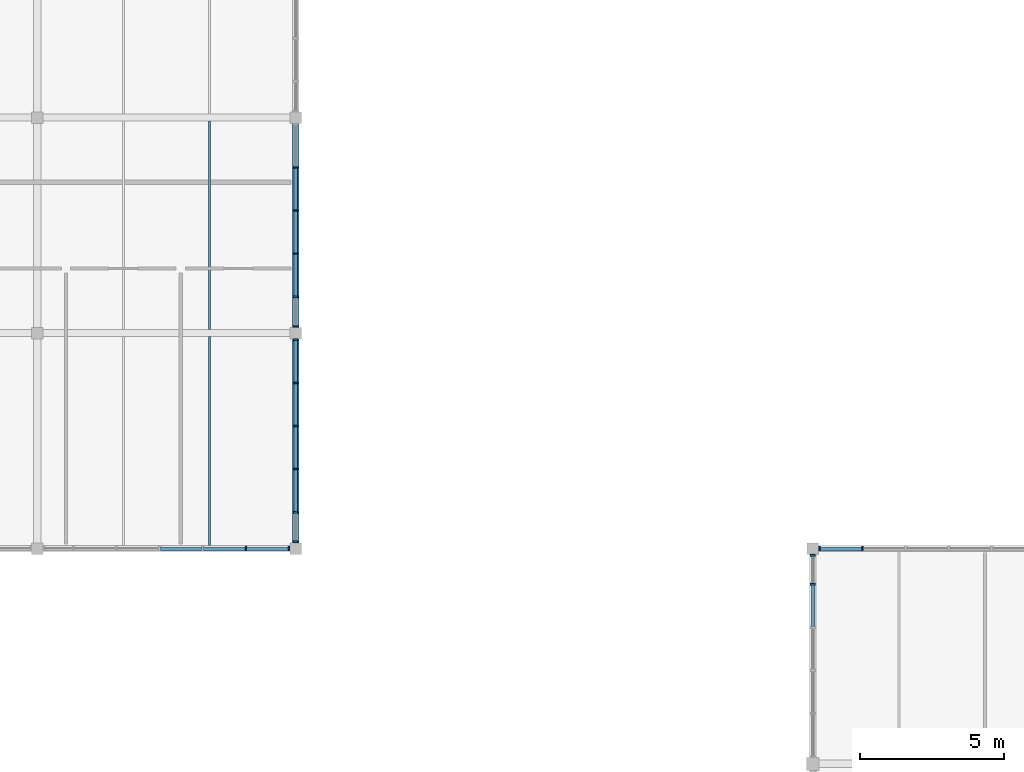
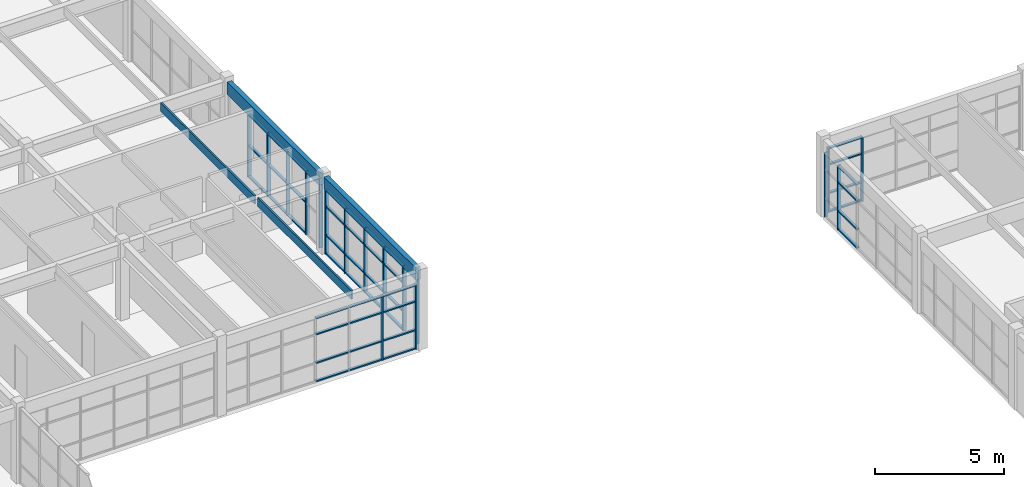
# One storey, part 28 of 81: 62 members, 4 beams, 5 elements without a shape of their own.
"""IFC4 building model written with IfcOpenShell, lengths in metres."""

from ifc_helpers import new_model, si_unit, direction, frame, origin, origin_2d, place, context, subcontext, project, spatial, rectangle, extrude, material, layer, layer_set, material_profile, profile_set, type_object, element, aggregate, save


model = new_model("IFC4")

# Units and contexts
model_context = context("Model", 3, precision=1e-05, world=origin(), true_north=direction((0.0, 1.0)))
body_context = subcontext(model_context, "Body", "Model", "MODEL_VIEW")
ifc_project = project(units=[si_unit("LENGTHUNIT", "METRE"), si_unit("AREAUNIT", "SQUARE_METRE"), si_unit("VOLUMEUNIT", "CUBIC_METRE"), si_unit("PLANEANGLEUNIT", "RADIAN"), si_unit("MASSUNIT", "GRAM", prefix="KILO")], contexts=[model_context])

# Site, building, storey
site_placement = place(None, origin())
site = spatial("IfcSite", under=ifc_project, at=site_placement, CompositionType="ELEMENT")
building_placement = place(site_placement, origin())
building = spatial("IfcBuilding", under=site, at=building_placement, Name="Marnridge Secondary College", CompositionType="ELEMENT")
storey_placement = place(building_placement, frame((0.0, 0.0, 8.5)))
storey = spatial("IfcBuildingStorey", under=building, at=storey_placement, Name="L02", CompositionType="ELEMENT", Elevation=8.5)

# Beams
ifc_material_1 = material(Name="Glulam timber GL18", Category="wood")
ifc_material_profile_1 = material_profile(ifc_material_1, rectangle(XDim=0.215087890625, YDim=0.5849609375, at=origin_2d()), Name="GL18 215x585")
ifc_profile_set_1 = profile_set([ifc_material_profile_1], Name="Glulam timber GL18")
beam_type_1 = type_object("IfcBeamType", Name="BM-GL585-EXT", PredefinedType="SPANDREL", material=ifc_profile_set_1)
for number, where, z_axis, x_axis, name in (
    (1, (36.0, 90.194091796875, 3.28759765625), (0.0, 1.0, 0.0), (-1.0, 0.0, 0.0), "Beam BS-L02-0890"),
    (2, (36.0, 82.694091796875, 3.347412109375), (0.0, 1.0, 0.0), (-1.0, 0.0, 0.0), "Beam BS-L02-0905"),
):
    element("IfcBeam", number, at=place(storey_placement, frame(where, z_axis=z_axis, x_axis=x_axis)), inside=storey, type_object=beam_type_1, Name=name, PredefinedType="SPANDREL", context=body_context, shape_type="SweptSolid", body=[
        extrude(rectangle(XDim=0.215087890625, YDim=0.5849609375, at=origin_2d()), origin(), (0.0, 0.0, 1.0), 7.11181640625),
    ])
ifc_material_2 = material(Name="Engineered timber LVL E13.2", Category="wood")
ifc_material_profile_2 = material_profile(ifc_material_2, rectangle(XDim=0.074951171875, YDim=0.39990234375, at=origin_2d()), Name="LVL 75x400")
ifc_profile_set_2 = profile_set([ifc_material_profile_2], Name="Engineered timber LVL E13.2")
beam_type_2 = type_object("IfcBeamType", Name="BM-LVL400-INT", PredefinedType="JOIST", material=ifc_profile_set_2)
beam_1_placement = place(storey_placement, frame((33.0, 90.118896484375, 3.3798828125), z_axis=(0.0, 1.0, 0.0), x_axis=(-1.0, 0.0, 0.0)))
element("IfcBeam", 3, at=beam_1_placement, inside=storey, type_object=beam_type_2, Name="Beam BJ-L02-0928", PredefinedType="JOIST", context=body_context, shape_type="SweptSolid", body=[
    extrude(rectangle(XDim=0.074951171875, YDim=0.39990234375, at=origin_2d()), origin(), (0.0, 0.0, 1.0), 7.26220703125),
])
beam_2_placement = place(storey_placement, frame((33.0, 82.6015625, 3.43994140625), z_axis=(0.0, 1.0, 0.0), x_axis=(-1.0, 0.0, 0.0)))
element("IfcBeam", 4, at=beam_2_placement, inside=storey, type_object=beam_type_2, Name="Beam BJ-L02-0940", PredefinedType="JOIST", context=body_context, shape_type="SweptSolid", body=[
    extrude(rectangle(XDim=0.074951171875, YDim=0.39990234375, at=origin_2d()), origin(), (0.0, 0.0, 1.0), 7.279541015625),
])

# Curtain wall, members
ifc_material_3 = material(Name="Thermally broken aluminium and low-E glazing", Category="aluminium")
ifc_layer = layer(ifc_material_3, 0.159912109375)
ifc_layer_set = layer_set([ifc_layer], Name="CW-MOD-1500")
curtain_wall_type = type_object("IfcCurtainWallType", Name="CW-MOD-1500", PredefinedType="NOTDEFINED", material=ifc_layer_set)
curtain_wall_1_placement = place(storey_placement, origin())
curtain_wall_1 = element("IfcCurtainWall", 5, at=curtain_wall_1_placement, inside=storey, type_object=curtain_wall_type, Name="Unitised curtain wall CW-L02-073", PredefinedType="NOTDEFINED")
ifc_material_4 = material(Name="Anodised aluminium 6063-T6", Category="aluminium")
ifc_material_profile_3 = material_profile(ifc_material_4, rectangle(XDim=0.06005859375, YDim=0.159912109375, at=origin_2d()), Name="ALU 60x160")
ifc_profile_set_3 = profile_set([ifc_material_profile_3], Name="Anodised aluminium 6063-T6")
member_type_1 = type_object("IfcMemberType", Name="CWM-ALU160", PredefinedType="MULLION", material=ifc_profile_set_3)
member_1_placement = place(storey_placement, frame((54.23388671875, 82.5, 0.0), z_axis=(0.0, 0.0, 1.0), x_axis=(1.0, 0.0, 0.0)))
member_1 = element("IfcMember", 6, at=member_1_placement, type_object=member_type_1, Name="CW-L02-073 mullion 1", PredefinedType="MULLION", context=body_context, shape_type="SweptSolid", body=[
    extrude(rectangle(XDim=0.06005859375, YDim=0.159912109375, at=origin_2d()), origin(), (0.0, 0.0, 1.0), 3.047119140625),
])
member_2_placement = place(storey_placement, frame((55.73388671875, 82.5, 0.0), z_axis=(0.0, 0.0, 1.0), x_axis=(1.0, 0.0, 0.0)))
member_2 = element("IfcMember", 7, at=member_2_placement, type_object=member_type_1, Name="CW-L02-073 mullion 2", PredefinedType="MULLION", context=body_context, shape_type="SweptSolid", body=[
    extrude(rectangle(XDim=0.06005859375, YDim=0.159912109375, at=origin_2d()), origin(), (0.0, 0.0, 1.0), 3.047119140625),
])

curtain_wall_2_placement = place(storey_placement, origin())
curtain_wall_2 = element("IfcCurtainWall", 8, at=curtain_wall_2_placement, inside=storey, type_object=curtain_wall_type, Name="Unitised curtain wall CW-L02-084", PredefinedType="NOTDEFINED")
member_3_placement = place(storey_placement, frame((54.0, 81.259033203125, 0.0), z_axis=(0.0, 0.0, 1.0), x_axis=(0.0, 1.0, 0.0)))
member_3 = element("IfcMember", 9, at=member_3_placement, type_object=member_type_1, Name="CW-L02-084 mullion 5", PredefinedType="MULLION", context=body_context, shape_type="SweptSolid", body=[
    extrude(rectangle(XDim=0.06005859375, YDim=0.159912109375, at=origin_2d()), origin(), (0.0, 0.0, 1.0), 3.047119140625),
])
member_4_placement = place(storey_placement, frame((54.0, 82.26611328125, 0.0), z_axis=(0.0, 0.0, 1.0), x_axis=(0.0, 1.0, 0.0)))
member_4 = element("IfcMember", 10, at=member_4_placement, type_object=member_type_1, Name="CW-L02-084 mullion 6", PredefinedType="MULLION", context=body_context, shape_type="SweptSolid", body=[
    extrude(rectangle(XDim=0.06005859375, YDim=0.159912109375, at=origin_2d()), origin(), (0.0, 0.0, 1.0), 3.047119140625),
])

curtain_wall_3_placement = place(storey_placement, origin())
curtain_wall_3 = element("IfcCurtainWall", 11, at=curtain_wall_3_placement, inside=storey, type_object=curtain_wall_type, Name="Unitised curtain wall CW-L02-090", PredefinedType="NOTDEFINED")
member_5_placement = place(storey_placement, frame((36.0, 95.76611328125, 0.0), z_axis=(0.0, 0.0, 1.0), x_axis=(0.0, -1.0, 0.0)))
member_5 = element("IfcMember", 12, at=member_5_placement, type_object=member_type_1, Name="CW-L02-090 mullion 2", PredefinedType="MULLION", context=body_context, shape_type="SweptSolid", body=[
    extrude(rectangle(XDim=0.06005859375, YDim=0.159912109375, at=origin_2d()), origin(), (0.0, 0.0, 1.0), 2.987060546875),
])
member_6_placement = place(storey_placement, frame((36.0, 94.26611328125, 0.0), z_axis=(0.0, 0.0, 1.0), x_axis=(0.0, -1.0, 0.0)))
member_6 = element("IfcMember", 13, at=member_6_placement, type_object=member_type_1, Name="CW-L02-090 mullion 3", PredefinedType="MULLION", context=body_context, shape_type="SweptSolid", body=[
    extrude(rectangle(XDim=0.06005859375, YDim=0.159912109375, at=origin_2d()), origin(), (0.0, 0.0, 1.0), 2.987060546875),
])
member_7_placement = place(storey_placement, frame((36.0, 92.76611328125, 0.0), z_axis=(0.0, 0.0, 1.0), x_axis=(0.0, -1.0, 0.0)))
member_7 = element("IfcMember", 14, at=member_7_placement, type_object=member_type_1, Name="CW-L02-090 mullion 4", PredefinedType="MULLION", context=body_context, shape_type="SweptSolid", body=[
    extrude(rectangle(XDim=0.06005859375, YDim=0.159912109375, at=origin_2d()), origin(), (0.0, 0.0, 1.0), 2.987060546875),
])
member_8_placement = place(storey_placement, frame((36.0, 91.26611328125, 0.0), z_axis=(0.0, 0.0, 1.0), x_axis=(0.0, -1.0, 0.0)))
member_8 = element("IfcMember", 15, at=member_8_placement, type_object=member_type_1, Name="CW-L02-090 mullion 5", PredefinedType="MULLION", context=body_context, shape_type="SweptSolid", body=[
    extrude(rectangle(XDim=0.06005859375, YDim=0.159912109375, at=origin_2d()), origin(), (0.0, 0.0, 1.0), 2.987060546875),
])
member_9_placement = place(storey_placement, frame((36.0, 90.23388671875, 0.0), z_axis=(0.0, 0.0, 1.0), x_axis=(0.0, -1.0, 0.0)))
member_9 = element("IfcMember", 16, at=member_9_placement, type_object=member_type_1, Name="CW-L02-090 mullion 6", PredefinedType="MULLION", context=body_context, shape_type="SweptSolid", body=[
    extrude(rectangle(XDim=0.06005859375, YDim=0.159912109375, at=origin_2d()), origin(), (0.0, 0.0, 1.0), 2.987060546875),
])

curtain_wall_4_placement = place(storey_placement, origin())
curtain_wall_4 = element("IfcCurtainWall", 17, at=curtain_wall_4_placement, inside=storey, type_object=curtain_wall_type, Name="Unitised curtain wall CW-L02-091", PredefinedType="NOTDEFINED")
member_10_placement = place(storey_placement, frame((36.0, 89.76611328125, 0.0), z_axis=(0.0, 0.0, 1.0), x_axis=(0.0, -1.0, 0.0)))
member_10 = element("IfcMember", 18, at=member_10_placement, type_object=member_type_1, Name="CW-L02-091 mullion 1", PredefinedType="MULLION", context=body_context, shape_type="SweptSolid", body=[
    extrude(rectangle(XDim=0.06005859375, YDim=0.159912109375, at=origin_2d()), origin(), (0.0, 0.0, 1.0), 3.047119140625),
])
member_11_placement = place(storey_placement, frame((36.0, 88.26611328125, 0.0), z_axis=(0.0, 0.0, 1.0), x_axis=(0.0, -1.0, 0.0)))
member_11 = element("IfcMember", 19, at=member_11_placement, type_object=member_type_1, Name="CW-L02-091 mullion 2", PredefinedType="MULLION", context=body_context, shape_type="SweptSolid", body=[
    extrude(rectangle(XDim=0.06005859375, YDim=0.159912109375, at=origin_2d()), origin(), (0.0, 0.0, 1.0), 3.047119140625),
])
member_12_placement = place(storey_placement, frame((36.0, 86.76611328125, 0.0), z_axis=(0.0, 0.0, 1.0), x_axis=(0.0, -1.0, 0.0)))
member_12 = element("IfcMember", 20, at=member_12_placement, type_object=member_type_1, Name="CW-L02-091 mullion 3", PredefinedType="MULLION", context=body_context, shape_type="SweptSolid", body=[
    extrude(rectangle(XDim=0.06005859375, YDim=0.159912109375, at=origin_2d()), origin(), (0.0, 0.0, 1.0), 3.047119140625),
])
member_13_placement = place(storey_placement, frame((36.0, 85.26611328125, 0.0), z_axis=(0.0, 0.0, 1.0), x_axis=(0.0, -1.0, 0.0)))
member_13 = element("IfcMember", 21, at=member_13_placement, type_object=member_type_1, Name="CW-L02-091 mullion 4", PredefinedType="MULLION", context=body_context, shape_type="SweptSolid", body=[
    extrude(rectangle(XDim=0.06005859375, YDim=0.159912109375, at=origin_2d()), origin(), (0.0, 0.0, 1.0), 3.047119140625),
])
member_14_placement = place(storey_placement, frame((36.0, 83.76611328125, 0.0), z_axis=(0.0, 0.0, 1.0), x_axis=(0.0, -1.0, 0.0)))
member_14 = element("IfcMember", 22, at=member_14_placement, type_object=member_type_1, Name="CW-L02-091 mullion 5", PredefinedType="MULLION", context=body_context, shape_type="SweptSolid", body=[
    extrude(rectangle(XDim=0.06005859375, YDim=0.159912109375, at=origin_2d()), origin(), (0.0, 0.0, 1.0), 3.047119140625),
])
member_15_placement = place(storey_placement, frame((36.0, 82.73388671875, 0.0), z_axis=(0.0, 0.0, 1.0), x_axis=(0.0, -1.0, 0.0)))
member_15 = element("IfcMember", 23, at=member_15_placement, type_object=member_type_1, Name="CW-L02-091 mullion 6", PredefinedType="MULLION", context=body_context, shape_type="SweptSolid", body=[
    extrude(rectangle(XDim=0.06005859375, YDim=0.159912109375, at=origin_2d()), origin(), (0.0, 0.0, 1.0), 3.047119140625),
])

curtain_wall_5_placement = place(storey_placement, origin())
curtain_wall_5 = element("IfcCurtainWall", 24, at=curtain_wall_5_placement, inside=storey, type_object=curtain_wall_type, Name="Unitised curtain wall CW-L02-092", PredefinedType="NOTDEFINED")
member_16_placement = place(storey_placement, frame((35.76611328125, 82.5, 0.0), z_axis=(0.0, 0.0, 1.0), x_axis=(-1.0, 0.0, 0.0)))
member_16 = element("IfcMember", 25, at=member_16_placement, type_object=member_type_1, Name="CW-L02-092 mullion 1", PredefinedType="MULLION", context=body_context, shape_type="SweptSolid", body=[
    extrude(rectangle(XDim=0.06005859375, YDim=0.159912109375, at=origin_2d()), origin(), (0.0, 0.0, 1.0), 3.047119140625),
])
member_17_placement = place(storey_placement, frame((34.26611328125, 82.5, 0.0), z_axis=(0.0, 0.0, 1.0), x_axis=(-1.0, 0.0, 0.0)))
member_17 = element("IfcMember", 26, at=member_17_placement, type_object=member_type_1, Name="CW-L02-092 mullion 2", PredefinedType="MULLION", context=body_context, shape_type="SweptSolid", body=[
    extrude(rectangle(XDim=0.06005859375, YDim=0.159912109375, at=origin_2d()), origin(), (0.0, 0.0, 1.0), 3.047119140625),
])

# Member
ifc_material_5 = material(Name="Anodised aluminium 6063-T6", Category="aluminium")
ifc_material_profile_4 = material_profile(ifc_material_5, rectangle(XDim=0.06005859375, YDim=0.1201171875, at=origin_2d()), Name="ALU 60x120")
ifc_profile_set_4 = profile_set([ifc_material_profile_4], Name="Anodised aluminium 6063-T6")
member_type_2 = type_object("IfcMemberType", Name="CWT-ALU120", PredefinedType="USERDEFINED", material=ifc_profile_set_4)
member_18_placement = place(storey_placement, frame((54.263916015625, 82.5, 0.030029296875), z_axis=(1.0, 0.0, 0.0), x_axis=(0.0, 0.0, 1.0)))
member_18 = element("IfcMember", 27, at=member_18_placement, type_object=member_type_2, Name="CW-L02-073 transom 1.1", ObjectType="TRANSOM", PredefinedType="USERDEFINED", context=body_context, shape_type="SweptSolid", body=[
    extrude(rectangle(XDim=0.06005859375, YDim=0.1201171875, at=origin_2d()), origin(), (0.0, 0.0, 1.0), 1.440185546875),
])

member_19_placement = place(storey_placement, frame((54.263916015625, 82.5, 0.89990234375), z_axis=(1.0, 0.0, 0.0), x_axis=(0.0, 0.0, 1.0)))
member_19 = element("IfcMember", 28, at=member_19_placement, type_object=member_type_2, Name="CW-L02-073 transom 1.2", ObjectType="TRANSOM", PredefinedType="USERDEFINED", context=body_context, shape_type="SweptSolid", body=[
    extrude(rectangle(XDim=0.06005859375, YDim=0.1201171875, at=origin_2d()), origin(), (0.0, 0.0, 1.0), 1.440185546875),
])

member_20_placement = place(storey_placement, frame((54.263916015625, 82.5, 2.25), z_axis=(1.0, 0.0, 0.0), x_axis=(0.0, 0.0, 1.0)))
member_20 = element("IfcMember", 29, at=member_20_placement, type_object=member_type_2, Name="CW-L02-073 transom 1.3", ObjectType="TRANSOM", PredefinedType="USERDEFINED", context=body_context, shape_type="SweptSolid", body=[
    extrude(rectangle(XDim=0.06005859375, YDim=0.1201171875, at=origin_2d()), origin(), (0.0, 0.0, 1.0), 1.440185546875),
])

member_21_placement = place(storey_placement, frame((54.263916015625, 82.5, 3.01708984375), z_axis=(1.0, 0.0, 0.0), x_axis=(0.0, 0.0, 1.0)))
member_21 = element("IfcMember", 30, at=member_21_placement, type_object=member_type_2, Name="CW-L02-073 transom 1.4", ObjectType="TRANSOM", PredefinedType="USERDEFINED", context=body_context, shape_type="SweptSolid", body=[
    extrude(rectangle(XDim=0.06005859375, YDim=0.1201171875, at=origin_2d()), origin(), (0.0, 0.0, 1.0), 1.440185546875),
])

aggregate(curtain_wall_1, [member_1, member_2, member_18, member_19, member_20, member_21])

member_22_placement = place(storey_placement, frame((54.0, 79.7890625, 0.030029296875), z_axis=(0.0, 1.0, 0.0), x_axis=(0.0, 0.0, 1.0)))
member_22 = element("IfcMember", 31, at=member_22_placement, type_object=member_type_2, Name="CW-L02-084 transom 4.1", ObjectType="TRANSOM", PredefinedType="USERDEFINED", context=body_context, shape_type="SweptSolid", body=[
    extrude(rectangle(XDim=0.06005859375, YDim=0.1201171875, at=origin_2d()), origin(), (0.0, 0.0, 1.0), 1.43994140625),
])

member_23_placement = place(storey_placement, frame((54.0, 79.7890625, 0.89990234375), z_axis=(0.0, 1.0, 0.0), x_axis=(0.0, 0.0, 1.0)))
member_23 = element("IfcMember", 32, at=member_23_placement, type_object=member_type_2, Name="CW-L02-084 transom 4.2", ObjectType="TRANSOM", PredefinedType="USERDEFINED", context=body_context, shape_type="SweptSolid", body=[
    extrude(rectangle(XDim=0.06005859375, YDim=0.1201171875, at=origin_2d()), origin(), (0.0, 0.0, 1.0), 1.43994140625),
])

member_24_placement = place(storey_placement, frame((54.0, 79.7890625, 2.25), z_axis=(0.0, 1.0, 0.0), x_axis=(0.0, 0.0, 1.0)))
member_24 = element("IfcMember", 33, at=member_24_placement, type_object=member_type_2, Name="CW-L02-084 transom 4.3", ObjectType="TRANSOM", PredefinedType="USERDEFINED", context=body_context, shape_type="SweptSolid", body=[
    extrude(rectangle(XDim=0.06005859375, YDim=0.1201171875, at=origin_2d()), origin(), (0.0, 0.0, 1.0), 1.43994140625),
])

member_25_placement = place(storey_placement, frame((54.0, 79.7890625, 3.01708984375), z_axis=(0.0, 1.0, 0.0), x_axis=(0.0, 0.0, 1.0)))
member_25 = element("IfcMember", 34, at=member_25_placement, type_object=member_type_2, Name="CW-L02-084 transom 4.4", ObjectType="TRANSOM", PredefinedType="USERDEFINED", context=body_context, shape_type="SweptSolid", body=[
    extrude(rectangle(XDim=0.06005859375, YDim=0.1201171875, at=origin_2d()), origin(), (0.0, 0.0, 1.0), 1.43994140625),
])

aggregate(curtain_wall_2, [member_3, member_4, member_22, member_23, member_24, member_25])

member_26_placement = place(storey_placement, frame((36.0, 95.736083984375, 0.030029296875), z_axis=(0.0, -1.0, 0.0), x_axis=(0.0, 0.0, 1.0)))
member_26 = element("IfcMember", 35, at=member_26_placement, type_object=member_type_2, Name="CW-L02-090 transom 2.1", ObjectType="TRANSOM", PredefinedType="USERDEFINED", context=body_context, shape_type="SweptSolid", body=[
    extrude(rectangle(XDim=0.06005859375, YDim=0.1201171875, at=origin_2d()), origin(), (0.0, 0.0, 1.0), 1.440185546875),
])

member_27_placement = place(storey_placement, frame((36.0, 95.736083984375, 1.493896484375), z_axis=(0.0, -1.0, 0.0), x_axis=(0.0, 0.0, 1.0)))
member_27 = element("IfcMember", 36, at=member_27_placement, type_object=member_type_2, Name="CW-L02-090 transom 2.2", ObjectType="TRANSOM", PredefinedType="USERDEFINED", context=body_context, shape_type="SweptSolid", body=[
    extrude(rectangle(XDim=0.06005859375, YDim=0.1201171875, at=origin_2d()), origin(), (0.0, 0.0, 1.0), 1.440185546875),
])

member_28_placement = place(storey_placement, frame((36.0, 95.736083984375, 2.95703125), z_axis=(0.0, -1.0, 0.0), x_axis=(0.0, 0.0, 1.0)))
member_28 = element("IfcMember", 37, at=member_28_placement, type_object=member_type_2, Name="CW-L02-090 transom 2.3", ObjectType="TRANSOM", PredefinedType="USERDEFINED", context=body_context, shape_type="SweptSolid", body=[
    extrude(rectangle(XDim=0.06005859375, YDim=0.1201171875, at=origin_2d()), origin(), (0.0, 0.0, 1.0), 1.440185546875),
])

member_29_placement = place(storey_placement, frame((36.0, 94.236083984375, 0.030029296875), z_axis=(0.0, -1.0, 0.0), x_axis=(0.0, 0.0, 1.0)))
member_29 = element("IfcMember", 38, at=member_29_placement, type_object=member_type_2, Name="CW-L02-090 transom 3.1", ObjectType="TRANSOM", PredefinedType="USERDEFINED", context=body_context, shape_type="SweptSolid", body=[
    extrude(rectangle(XDim=0.06005859375, YDim=0.1201171875, at=origin_2d()), origin(), (0.0, 0.0, 1.0), 1.440185546875),
])

member_30_placement = place(storey_placement, frame((36.0, 94.236083984375, 1.493896484375), z_axis=(0.0, -1.0, 0.0), x_axis=(0.0, 0.0, 1.0)))
member_30 = element("IfcMember", 39, at=member_30_placement, type_object=member_type_2, Name="CW-L02-090 transom 3.2", ObjectType="TRANSOM", PredefinedType="USERDEFINED", context=body_context, shape_type="SweptSolid", body=[
    extrude(rectangle(XDim=0.06005859375, YDim=0.1201171875, at=origin_2d()), origin(), (0.0, 0.0, 1.0), 1.440185546875),
])

member_31_placement = place(storey_placement, frame((36.0, 94.236083984375, 2.95703125), z_axis=(0.0, -1.0, 0.0), x_axis=(0.0, 0.0, 1.0)))
member_31 = element("IfcMember", 40, at=member_31_placement, type_object=member_type_2, Name="CW-L02-090 transom 3.3", ObjectType="TRANSOM", PredefinedType="USERDEFINED", context=body_context, shape_type="SweptSolid", body=[
    extrude(rectangle(XDim=0.06005859375, YDim=0.1201171875, at=origin_2d()), origin(), (0.0, 0.0, 1.0), 1.440185546875),
])

member_32_placement = place(storey_placement, frame((36.0, 92.736083984375, 0.030029296875), z_axis=(0.0, -1.0, 0.0), x_axis=(0.0, 0.0, 1.0)))
member_32 = element("IfcMember", 41, at=member_32_placement, type_object=member_type_2, Name="CW-L02-090 transom 4.1", ObjectType="TRANSOM", PredefinedType="USERDEFINED", context=body_context, shape_type="SweptSolid", body=[
    extrude(rectangle(XDim=0.06005859375, YDim=0.1201171875, at=origin_2d()), origin(), (0.0, 0.0, 1.0), 1.440185546875),
])

member_33_placement = place(storey_placement, frame((36.0, 92.736083984375, 1.493896484375), z_axis=(0.0, -1.0, 0.0), x_axis=(0.0, 0.0, 1.0)))
member_33 = element("IfcMember", 42, at=member_33_placement, type_object=member_type_2, Name="CW-L02-090 transom 4.2", ObjectType="TRANSOM", PredefinedType="USERDEFINED", context=body_context, shape_type="SweptSolid", body=[
    extrude(rectangle(XDim=0.06005859375, YDim=0.1201171875, at=origin_2d()), origin(), (0.0, 0.0, 1.0), 1.440185546875),
])

member_34_placement = place(storey_placement, frame((36.0, 92.736083984375, 2.95703125), z_axis=(0.0, -1.0, 0.0), x_axis=(0.0, 0.0, 1.0)))
member_34 = element("IfcMember", 43, at=member_34_placement, type_object=member_type_2, Name="CW-L02-090 transom 4.3", ObjectType="TRANSOM", PredefinedType="USERDEFINED", context=body_context, shape_type="SweptSolid", body=[
    extrude(rectangle(XDim=0.06005859375, YDim=0.1201171875, at=origin_2d()), origin(), (0.0, 0.0, 1.0), 1.440185546875),
])

aggregate(curtain_wall_3, [member_5, member_6, member_7, member_8, member_9, member_26, member_27, member_28, member_29, member_30, member_31, member_32, member_33, member_34])

member_35_placement = place(storey_placement, frame((36.0, 89.736083984375, 0.030029296875), z_axis=(0.0, -1.0, 0.0), x_axis=(0.0, 0.0, 1.0)))
member_35 = element("IfcMember", 44, at=member_35_placement, type_object=member_type_2, Name="CW-L02-091 transom 1.1", ObjectType="TRANSOM", PredefinedType="USERDEFINED", context=body_context, shape_type="SweptSolid", body=[
    extrude(rectangle(XDim=0.06005859375, YDim=0.1201171875, at=origin_2d()), origin(), (0.0, 0.0, 1.0), 1.440185546875),
])

member_36_placement = place(storey_placement, frame((36.0, 89.736083984375, 0.89990234375), z_axis=(0.0, -1.0, 0.0), x_axis=(0.0, 0.0, 1.0)))
member_36 = element("IfcMember", 45, at=member_36_placement, type_object=member_type_2, Name="CW-L02-091 transom 1.2", ObjectType="TRANSOM", PredefinedType="USERDEFINED", context=body_context, shape_type="SweptSolid", body=[
    extrude(rectangle(XDim=0.06005859375, YDim=0.1201171875, at=origin_2d()), origin(), (0.0, 0.0, 1.0), 1.440185546875),
])

member_37_placement = place(storey_placement, frame((36.0, 89.736083984375, 2.25), z_axis=(0.0, -1.0, 0.0), x_axis=(0.0, 0.0, 1.0)))
member_37 = element("IfcMember", 46, at=member_37_placement, type_object=member_type_2, Name="CW-L02-091 transom 1.3", ObjectType="TRANSOM", PredefinedType="USERDEFINED", context=body_context, shape_type="SweptSolid", body=[
    extrude(rectangle(XDim=0.06005859375, YDim=0.1201171875, at=origin_2d()), origin(), (0.0, 0.0, 1.0), 1.440185546875),
])

member_38_placement = place(storey_placement, frame((36.0, 89.736083984375, 3.01708984375), z_axis=(0.0, -1.0, 0.0), x_axis=(0.0, 0.0, 1.0)))
member_38 = element("IfcMember", 47, at=member_38_placement, type_object=member_type_2, Name="CW-L02-091 transom 1.4", ObjectType="TRANSOM", PredefinedType="USERDEFINED", context=body_context, shape_type="SweptSolid", body=[
    extrude(rectangle(XDim=0.06005859375, YDim=0.1201171875, at=origin_2d()), origin(), (0.0, 0.0, 1.0), 1.440185546875),
])

member_39_placement = place(storey_placement, frame((36.0, 88.236083984375, 0.030029296875), z_axis=(0.0, -1.0, 0.0), x_axis=(0.0, 0.0, 1.0)))
member_39 = element("IfcMember", 48, at=member_39_placement, type_object=member_type_2, Name="CW-L02-091 transom 2.1", ObjectType="TRANSOM", PredefinedType="USERDEFINED", context=body_context, shape_type="SweptSolid", body=[
    extrude(rectangle(XDim=0.06005859375, YDim=0.1201171875, at=origin_2d()), origin(), (0.0, 0.0, 1.0), 1.440185546875),
])

member_40_placement = place(storey_placement, frame((36.0, 88.236083984375, 0.89990234375), z_axis=(0.0, -1.0, 0.0), x_axis=(0.0, 0.0, 1.0)))
member_40 = element("IfcMember", 49, at=member_40_placement, type_object=member_type_2, Name="CW-L02-091 transom 2.2", ObjectType="TRANSOM", PredefinedType="USERDEFINED", context=body_context, shape_type="SweptSolid", body=[
    extrude(rectangle(XDim=0.06005859375, YDim=0.1201171875, at=origin_2d()), origin(), (0.0, 0.0, 1.0), 1.440185546875),
])

member_41_placement = place(storey_placement, frame((36.0, 88.236083984375, 2.25), z_axis=(0.0, -1.0, 0.0), x_axis=(0.0, 0.0, 1.0)))
member_41 = element("IfcMember", 50, at=member_41_placement, type_object=member_type_2, Name="CW-L02-091 transom 2.3", ObjectType="TRANSOM", PredefinedType="USERDEFINED", context=body_context, shape_type="SweptSolid", body=[
    extrude(rectangle(XDim=0.06005859375, YDim=0.1201171875, at=origin_2d()), origin(), (0.0, 0.0, 1.0), 1.440185546875),
])

member_42_placement = place(storey_placement, frame((36.0, 88.236083984375, 3.01708984375), z_axis=(0.0, -1.0, 0.0), x_axis=(0.0, 0.0, 1.0)))
member_42 = element("IfcMember", 51, at=member_42_placement, type_object=member_type_2, Name="CW-L02-091 transom 2.4", ObjectType="TRANSOM", PredefinedType="USERDEFINED", context=body_context, shape_type="SweptSolid", body=[
    extrude(rectangle(XDim=0.06005859375, YDim=0.1201171875, at=origin_2d()), origin(), (0.0, 0.0, 1.0), 1.440185546875),
])

member_43_placement = place(storey_placement, frame((36.0, 86.736083984375, 0.030029296875), z_axis=(0.0, -1.0, 0.0), x_axis=(0.0, 0.0, 1.0)))
member_43 = element("IfcMember", 52, at=member_43_placement, type_object=member_type_2, Name="CW-L02-091 transom 3.1", ObjectType="TRANSOM", PredefinedType="USERDEFINED", context=body_context, shape_type="SweptSolid", body=[
    extrude(rectangle(XDim=0.06005859375, YDim=0.1201171875, at=origin_2d()), origin(), (0.0, 0.0, 1.0), 1.440185546875),
])

member_44_placement = place(storey_placement, frame((36.0, 86.736083984375, 0.89990234375), z_axis=(0.0, -1.0, 0.0), x_axis=(0.0, 0.0, 1.0)))
member_44 = element("IfcMember", 53, at=member_44_placement, type_object=member_type_2, Name="CW-L02-091 transom 3.2", ObjectType="TRANSOM", PredefinedType="USERDEFINED", context=body_context, shape_type="SweptSolid", body=[
    extrude(rectangle(XDim=0.06005859375, YDim=0.1201171875, at=origin_2d()), origin(), (0.0, 0.0, 1.0), 1.440185546875),
])

member_45_placement = place(storey_placement, frame((36.0, 86.736083984375, 2.25), z_axis=(0.0, -1.0, 0.0), x_axis=(0.0, 0.0, 1.0)))
member_45 = element("IfcMember", 54, at=member_45_placement, type_object=member_type_2, Name="CW-L02-091 transom 3.3", ObjectType="TRANSOM", PredefinedType="USERDEFINED", context=body_context, shape_type="SweptSolid", body=[
    extrude(rectangle(XDim=0.06005859375, YDim=0.1201171875, at=origin_2d()), origin(), (0.0, 0.0, 1.0), 1.440185546875),
])

member_46_placement = place(storey_placement, frame((36.0, 86.736083984375, 3.01708984375), z_axis=(0.0, -1.0, 0.0), x_axis=(0.0, 0.0, 1.0)))
member_46 = element("IfcMember", 55, at=member_46_placement, type_object=member_type_2, Name="CW-L02-091 transom 3.4", ObjectType="TRANSOM", PredefinedType="USERDEFINED", context=body_context, shape_type="SweptSolid", body=[
    extrude(rectangle(XDim=0.06005859375, YDim=0.1201171875, at=origin_2d()), origin(), (0.0, 0.0, 1.0), 1.440185546875),
])

member_47_placement = place(storey_placement, frame((36.0, 85.236083984375, 0.030029296875), z_axis=(0.0, -1.0, 0.0), x_axis=(0.0, 0.0, 1.0)))
member_47 = element("IfcMember", 56, at=member_47_placement, type_object=member_type_2, Name="CW-L02-091 transom 4.1", ObjectType="TRANSOM", PredefinedType="USERDEFINED", context=body_context, shape_type="SweptSolid", body=[
    extrude(rectangle(XDim=0.06005859375, YDim=0.1201171875, at=origin_2d()), origin(), (0.0, 0.0, 1.0), 1.440185546875),
])

member_48_placement = place(storey_placement, frame((36.0, 85.236083984375, 0.89990234375), z_axis=(0.0, -1.0, 0.0), x_axis=(0.0, 0.0, 1.0)))
member_48 = element("IfcMember", 57, at=member_48_placement, type_object=member_type_2, Name="CW-L02-091 transom 4.2", ObjectType="TRANSOM", PredefinedType="USERDEFINED", context=body_context, shape_type="SweptSolid", body=[
    extrude(rectangle(XDim=0.06005859375, YDim=0.1201171875, at=origin_2d()), origin(), (0.0, 0.0, 1.0), 1.440185546875),
])

member_49_placement = place(storey_placement, frame((36.0, 85.236083984375, 2.25), z_axis=(0.0, -1.0, 0.0), x_axis=(0.0, 0.0, 1.0)))
member_49 = element("IfcMember", 58, at=member_49_placement, type_object=member_type_2, Name="CW-L02-091 transom 4.3", ObjectType="TRANSOM", PredefinedType="USERDEFINED", context=body_context, shape_type="SweptSolid", body=[
    extrude(rectangle(XDim=0.06005859375, YDim=0.1201171875, at=origin_2d()), origin(), (0.0, 0.0, 1.0), 1.440185546875),
])

member_50_placement = place(storey_placement, frame((36.0, 85.236083984375, 3.01708984375), z_axis=(0.0, -1.0, 0.0), x_axis=(0.0, 0.0, 1.0)))
member_50 = element("IfcMember", 59, at=member_50_placement, type_object=member_type_2, Name="CW-L02-091 transom 4.4", ObjectType="TRANSOM", PredefinedType="USERDEFINED", context=body_context, shape_type="SweptSolid", body=[
    extrude(rectangle(XDim=0.06005859375, YDim=0.1201171875, at=origin_2d()), origin(), (0.0, 0.0, 1.0), 1.440185546875),
])

aggregate(curtain_wall_4, [member_10, member_11, member_12, member_13, member_14, member_15, member_35, member_36, member_37, member_38, member_39, member_40, member_41, member_42, member_43, member_44, member_45, member_46, member_47, member_48, member_49, member_50])

member_51_placement = place(storey_placement, frame((35.736083984375, 82.5, 0.030029296875), z_axis=(-1.0, 0.0, 0.0), x_axis=(0.0, 0.0, 1.0)))
member_51 = element("IfcMember", 60, at=member_51_placement, type_object=member_type_2, Name="CW-L02-092 transom 1.1", ObjectType="TRANSOM", PredefinedType="USERDEFINED", context=body_context, shape_type="SweptSolid", body=[
    extrude(rectangle(XDim=0.06005859375, YDim=0.1201171875, at=origin_2d()), origin(), (0.0, 0.0, 1.0), 1.440185546875),
])

member_52_placement = place(storey_placement, frame((35.736083984375, 82.5, 0.89990234375), z_axis=(-1.0, 0.0, 0.0), x_axis=(0.0, 0.0, 1.0)))
member_52 = element("IfcMember", 61, at=member_52_placement, type_object=member_type_2, Name="CW-L02-092 transom 1.2", ObjectType="TRANSOM", PredefinedType="USERDEFINED", context=body_context, shape_type="SweptSolid", body=[
    extrude(rectangle(XDim=0.06005859375, YDim=0.1201171875, at=origin_2d()), origin(), (0.0, 0.0, 1.0), 1.440185546875),
])

member_53_placement = place(storey_placement, frame((35.736083984375, 82.5, 2.25), z_axis=(-1.0, 0.0, 0.0), x_axis=(0.0, 0.0, 1.0)))
member_53 = element("IfcMember", 62, at=member_53_placement, type_object=member_type_2, Name="CW-L02-092 transom 1.3", ObjectType="TRANSOM", PredefinedType="USERDEFINED", context=body_context, shape_type="SweptSolid", body=[
    extrude(rectangle(XDim=0.06005859375, YDim=0.1201171875, at=origin_2d()), origin(), (0.0, 0.0, 1.0), 1.440185546875),
])

member_54_placement = place(storey_placement, frame((35.736083984375, 82.5, 3.01708984375), z_axis=(-1.0, 0.0, 0.0), x_axis=(0.0, 0.0, 1.0)))
member_54 = element("IfcMember", 63, at=member_54_placement, type_object=member_type_2, Name="CW-L02-092 transom 1.4", ObjectType="TRANSOM", PredefinedType="USERDEFINED", context=body_context, shape_type="SweptSolid", body=[
    extrude(rectangle(XDim=0.06005859375, YDim=0.1201171875, at=origin_2d()), origin(), (0.0, 0.0, 1.0), 1.440185546875),
])

member_55_placement = place(storey_placement, frame((34.236083984375, 82.5, 0.030029296875), z_axis=(-1.0, 0.0, 0.0), x_axis=(0.0, 0.0, 1.0)))
member_55 = element("IfcMember", 64, at=member_55_placement, type_object=member_type_2, Name="CW-L02-092 transom 2.1", ObjectType="TRANSOM", PredefinedType="USERDEFINED", context=body_context, shape_type="SweptSolid", body=[
    extrude(rectangle(XDim=0.06005859375, YDim=0.1201171875, at=origin_2d()), origin(), (0.0, 0.0, 1.0), 1.440185546875),
])

member_56_placement = place(storey_placement, frame((34.236083984375, 82.5, 0.89990234375), z_axis=(-1.0, 0.0, 0.0), x_axis=(0.0, 0.0, 1.0)))
member_56 = element("IfcMember", 65, at=member_56_placement, type_object=member_type_2, Name="CW-L02-092 transom 2.2", ObjectType="TRANSOM", PredefinedType="USERDEFINED", context=body_context, shape_type="SweptSolid", body=[
    extrude(rectangle(XDim=0.06005859375, YDim=0.1201171875, at=origin_2d()), origin(), (0.0, 0.0, 1.0), 1.440185546875),
])

member_57_placement = place(storey_placement, frame((34.236083984375, 82.5, 2.25), z_axis=(-1.0, 0.0, 0.0), x_axis=(0.0, 0.0, 1.0)))
member_57 = element("IfcMember", 66, at=member_57_placement, type_object=member_type_2, Name="CW-L02-092 transom 2.3", ObjectType="TRANSOM", PredefinedType="USERDEFINED", context=body_context, shape_type="SweptSolid", body=[
    extrude(rectangle(XDim=0.06005859375, YDim=0.1201171875, at=origin_2d()), origin(), (0.0, 0.0, 1.0), 1.440185546875),
])

member_58_placement = place(storey_placement, frame((34.236083984375, 82.5, 3.01708984375), z_axis=(-1.0, 0.0, 0.0), x_axis=(0.0, 0.0, 1.0)))
member_58 = element("IfcMember", 67, at=member_58_placement, type_object=member_type_2, Name="CW-L02-092 transom 2.4", ObjectType="TRANSOM", PredefinedType="USERDEFINED", context=body_context, shape_type="SweptSolid", body=[
    extrude(rectangle(XDim=0.06005859375, YDim=0.1201171875, at=origin_2d()), origin(), (0.0, 0.0, 1.0), 1.440185546875),
])

member_59_placement = place(storey_placement, frame((32.736083984375, 82.5, 0.030029296875), z_axis=(-1.0, 0.0, 0.0), x_axis=(0.0, 0.0, 1.0)))
member_59 = element("IfcMember", 68, at=member_59_placement, type_object=member_type_2, Name="CW-L02-092 transom 3.1", ObjectType="TRANSOM", PredefinedType="USERDEFINED", context=body_context, shape_type="SweptSolid", body=[
    extrude(rectangle(XDim=0.06005859375, YDim=0.1201171875, at=origin_2d()), origin(), (0.0, 0.0, 1.0), 1.440185546875),
])

member_60_placement = place(storey_placement, frame((32.736083984375, 82.5, 0.89990234375), z_axis=(-1.0, 0.0, 0.0), x_axis=(0.0, 0.0, 1.0)))
member_60 = element("IfcMember", 69, at=member_60_placement, type_object=member_type_2, Name="CW-L02-092 transom 3.2", ObjectType="TRANSOM", PredefinedType="USERDEFINED", context=body_context, shape_type="SweptSolid", body=[
    extrude(rectangle(XDim=0.06005859375, YDim=0.1201171875, at=origin_2d()), origin(), (0.0, 0.0, 1.0), 1.440185546875),
])

member_61_placement = place(storey_placement, frame((32.736083984375, 82.5, 2.25), z_axis=(-1.0, 0.0, 0.0), x_axis=(0.0, 0.0, 1.0)))
member_61 = element("IfcMember", 70, at=member_61_placement, type_object=member_type_2, Name="CW-L02-092 transom 3.3", ObjectType="TRANSOM", PredefinedType="USERDEFINED", context=body_context, shape_type="SweptSolid", body=[
    extrude(rectangle(XDim=0.06005859375, YDim=0.1201171875, at=origin_2d()), origin(), (0.0, 0.0, 1.0), 1.440185546875),
])

member_62_placement = place(storey_placement, frame((32.736083984375, 82.5, 3.01708984375), z_axis=(-1.0, 0.0, 0.0), x_axis=(0.0, 0.0, 1.0)))
member_62 = element("IfcMember", 71, at=member_62_placement, type_object=member_type_2, Name="CW-L02-092 transom 3.4", ObjectType="TRANSOM", PredefinedType="USERDEFINED", context=body_context, shape_type="SweptSolid", body=[
    extrude(rectangle(XDim=0.06005859375, YDim=0.1201171875, at=origin_2d()), origin(), (0.0, 0.0, 1.0), 1.440185546875),
])

aggregate(curtain_wall_5, [member_16, member_17, member_51, member_52, member_53, member_54, member_55, member_56, member_57, member_58, member_59, member_60, member_61, member_62])

save(model, "model.ifc")
